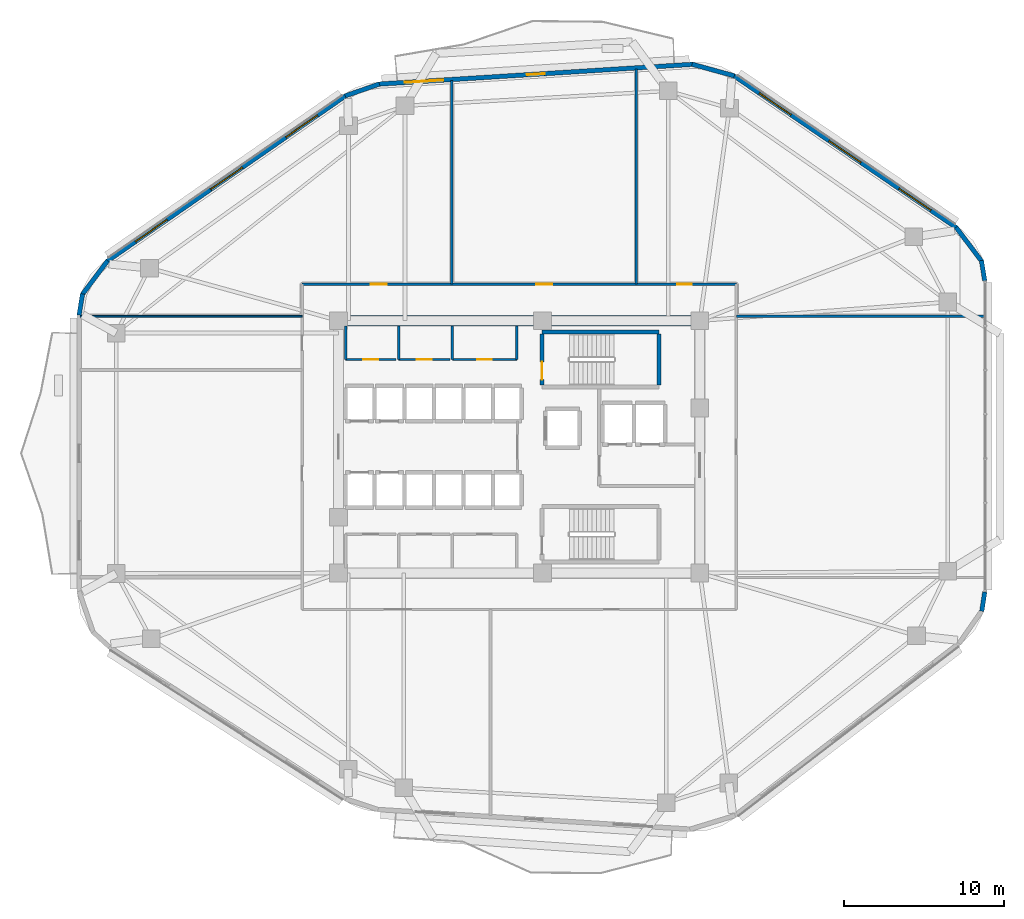
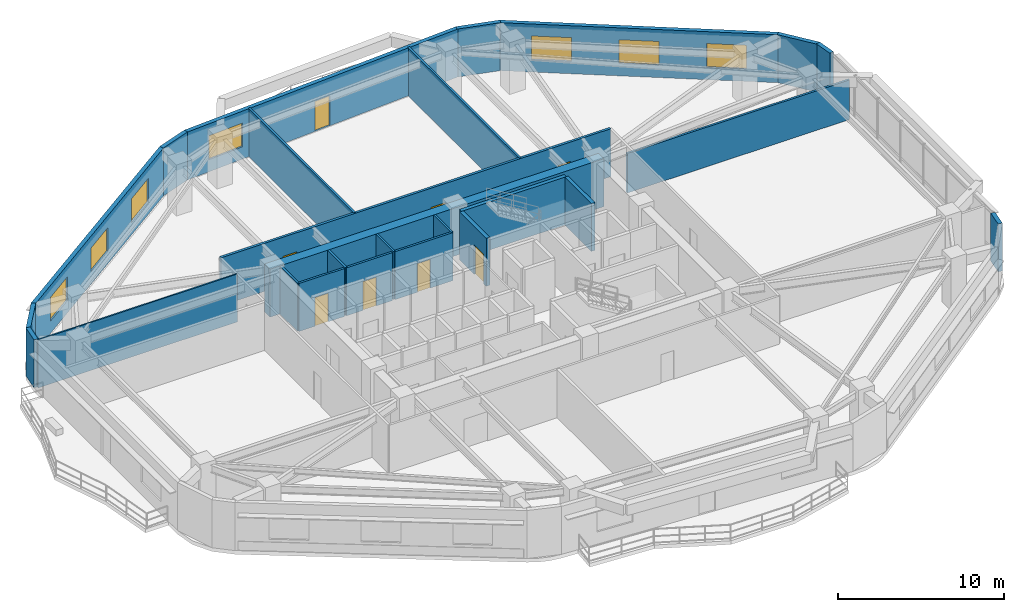
# One storey, part 10 of 14: 26 walls, 8 doors, 7 windows, 15 openings.
"""IFC4 building model written with IfcOpenShell, lengths in metres."""

from ifc_helpers import new_model, si_unit, direction, frame, frame_2d, origin, place, context, subcontext, project, spatial, rectangle, extrude, material, layer, layer_set, type_object, element, fill, save


model = new_model("IFC4")

# Units and contexts
model_context = context("Model", 3, precision=1e-05, world=origin(), true_north=direction((0.0, 1.0)))
body_context = subcontext(model_context, "Body", "Model", "MODEL_VIEW")
ifc_project = project(units=[si_unit("LENGTHUNIT", "METRE"), si_unit("AREAUNIT", "SQUARE_METRE"), si_unit("VOLUMEUNIT", "CUBIC_METRE"), si_unit("PLANEANGLEUNIT", "RADIAN"), si_unit("MASSUNIT", "GRAM", prefix="KILO")], contexts=[model_context])

# Site, building, storey
site_placement = place(None, origin())
site = spatial("IfcSite", under=ifc_project, at=site_placement, CompositionType="ELEMENT")
building_placement = place(site_placement, origin())
building = spatial("IfcBuilding", under=site, at=building_placement, Name="Zulverin Broadcast Headquarters", CompositionType="ELEMENT")
storey_placement = place(building_placement, frame((0.0, 0.0, 85.800048828125)))
storey = spatial("IfcBuildingStorey", under=building, at=storey_placement, Name="L21", CompositionType="ELEMENT", Elevation=85.800048828125)

# Wall
ifc_material_1 = material(Name="Concrete C60/75", Category="concrete")
ifc_layer_1 = layer(ifc_material_1, 0.64990234375, Name="Concrete C60/75", Category="concrete")
ifc_layer_set_1 = layer_set([ifc_layer_1], Name="Concrete C60/75")
wall_type_1 = type_object("IfcWallType", Name="WL-CORE-650", PredefinedType="SHEAR", material=ifc_layer_set_1)
wall_1_placement = place(storey_placement, frame((25.39990234375, 33.074951171875, 0.0), z_axis=(0.0, 0.0, 1.0), x_axis=(1.0, 0.0, 0.0)))
element("IfcWall", 1, at=wall_1_placement, inside=storey, type_object=wall_type_1, Name="L21 Core North Shear Wall", PredefinedType="SHEAR", context=body_context, shape_type="SweptSolid", body=[
    extrude(rectangle(XDim=23.2001953125, YDim=0.64990234375, at=frame_2d((11.60009765625, 0.0))), origin(), (0.0, 0.0, 1.0), 3.52490234375),
])

# Wall, openings, windows
ifc_material_2 = material(Name="Insulated pale-metal clad concrete spandrel C40/50", Category="concrete")
ifc_layer_2 = layer(ifc_material_2, 0.280029296875, Name="Insulated pale-metal clad concrete spandrel C40/50", Category="concrete")
ifc_layer_set_2 = layer_set([ifc_layer_2], Name="Insulated pale-metal clad concrete spandrel C40/50")
wall_type_2 = type_object("IfcWallType", Name="WL-EXT-280", PredefinedType="STANDARD", material=ifc_layer_set_2)
wall_2_placement = place(storey_placement, frame((64.289794921875, 38.8671875, 0.0), z_axis=(0.0, 0.0, 1.0), x_axis=(-0.825755550159, 0.564028165416, 0.0)))
wall_2 = element("IfcWall", 2, at=wall_2_placement, inside=storey, type_object=wall_type_2, Name="L21 Pale-Metal Clad Spandrel Wall 4", PredefinedType="STANDARD", context=body_context, shape_type="SweptSolid", body=[
    extrude(rectangle(XDim=16.848388671875, YDim=0.280029296875, at=frame_2d((8.42431640625, 0.0))), origin(), (0.0, 0.0, 1.0), 3.52490234375),
])
opening_1_placement = place(wall_2_placement, frame((1.94140625, 0.0, 0.89990234375)))
opening_1 = element("IfcOpeningElement", 3, at=opening_1_placement, cuts=wall_2, Name="Opening W-L21-E41", PredefinedType="OPENING", context=body_context, shape_type="SweptSolid", body=[
    extrude(rectangle(XDim=2.39990234375, YDim=1.75, at=frame_2d((1.199951171875, 0.875))), frame((0.0, 0.14990234375, 0.0), z_axis=(0.0, -1.0, 0.0), x_axis=(1.0, 0.0, 0.0)), (0.0, 0.0, 1.0), 0.300048828125),
])
opening_2_placement = place(wall_2_placement, frame((7.22412109375, 0.0, 0.89990234375)))
opening_2 = element("IfcOpeningElement", 4, at=opening_2_placement, cuts=wall_2, Name="Opening W-L21-E42", PredefinedType="OPENING", context=body_context, shape_type="SweptSolid", body=[
    extrude(rectangle(XDim=2.39990234375, YDim=1.75, at=frame_2d((1.199951171875, 0.875))), frame((0.0, 0.14990234375, 0.0), z_axis=(0.0, -1.0, 0.0), x_axis=(1.0, 0.0, 0.0)), (0.0, 0.0, 1.0), 0.300048828125),
])
opening_3_placement = place(wall_2_placement, frame((12.5068359375, 0.0, 0.89990234375)))
opening_3 = element("IfcOpeningElement", 5, at=opening_3_placement, cuts=wall_2, Name="Opening W-L21-E43", PredefinedType="OPENING", context=body_context, shape_type="SweptSolid", body=[
    extrude(rectangle(XDim=2.39990234375, YDim=1.75, at=frame_2d((1.199951171875, 0.875))), frame((0.0, 0.14990234375, 0.0), z_axis=(0.0, -1.0, 0.0), x_axis=(1.0, 0.0, 0.0)), (0.0, 0.0, 1.0), 0.300048828125),
])
ifc_material_3 = material(Name="Pale anodized aluminium frame with solar-control low-E double glazing", Category="aluminium")
window_type = type_object("IfcWindowType", Name="WIN-RIB-2400", PartitioningType="SINGLE_PANEL", PredefinedType="WINDOW", material=ifc_material_3)
window_1_placement = place(opening_1_placement, origin())
window_1 = element("IfcWindow", 6, at=window_1_placement, inside=storey, type_object=window_type, Name="L21 Ribbon Glazing Window 4 1", OverallHeight=1.75, OverallWidth=2.39990234375, PartitioningType="SINGLE_PANEL", PredefinedType="WINDOW", context=body_context, shape_type="SweptSolid", body=[
    extrude(rectangle(XDim=2.39990234375, YDim=1.75, at=frame_2d((1.199951171875, 0.875))), frame((0.0, 0.030029296875, 0.0), z_axis=(0.0, -1.0, 0.0), x_axis=(1.0, 0.0, 0.0)), (0.0, 0.0, 1.0), 0.06005859375),
])
fill(opening_1, window_1)
window_2_placement = place(opening_2_placement, origin())
window_2 = element("IfcWindow", 7, at=window_2_placement, inside=storey, type_object=window_type, Name="L21 Ribbon Glazing Window 4 2", OverallHeight=1.75, OverallWidth=2.39990234375, PartitioningType="SINGLE_PANEL", PredefinedType="WINDOW", context=body_context, shape_type="SweptSolid", body=[
    extrude(rectangle(XDim=2.39990234375, YDim=1.75, at=frame_2d((1.199951171875, 0.875))), frame((0.0, 0.030029296875, 0.0), z_axis=(0.0, -1.0, 0.0), x_axis=(1.0, 0.0, 0.0)), (0.0, 0.0, 1.0), 0.06005859375),
])
fill(opening_2, window_2)
window_3_placement = place(opening_3_placement, origin())
window_3 = element("IfcWindow", 8, at=window_3_placement, inside=storey, type_object=window_type, Name="L21 Ribbon Glazing Window 4 3", OverallHeight=1.75, OverallWidth=2.39990234375, PartitioningType="SINGLE_PANEL", PredefinedType="WINDOW", context=body_context, shape_type="SweptSolid", body=[
    extrude(rectangle(XDim=2.39990234375, YDim=1.75, at=frame_2d((1.199951171875, 0.875))), frame((0.0, 0.030029296875, 0.0), z_axis=(0.0, -1.0, 0.0), x_axis=(1.0, 0.0, 0.0)), (0.0, 0.0, 1.0), 0.06005859375),
])
fill(opening_3, window_3)

# Wall, openings, door, window
wall_3_placement = place(storey_placement, frame((47.831787109375, 49.0693359375, 0.0), z_axis=(0.0, 0.0, 1.0), x_axis=(-0.998017725054, -0.062933460723, 0.0)))
wall_3 = element("IfcWall", 9, at=wall_3_placement, inside=storey, type_object=wall_type_2, Name="L21 Pale-Metal Clad Spandrel Wall 5", PredefinedType="STANDARD", context=body_context, shape_type="SweptSolid", body=[
    extrude(rectangle(XDim=19.62939453125, YDim=0.280029296875, at=frame_2d((9.814697265625, 0.0))), origin(), (0.0, 0.0, 1.0), 3.52490234375),
])
opening_4_placement = place(wall_3_placement, frame((9.264892578125, 0.0, 0.0)))
opening_4 = element("IfcOpeningElement", 10, at=opening_4_placement, cuts=wall_3, Name="Opening D-L21-TR5", PredefinedType="OPENING", context=body_context, shape_type="SweptSolid", body=[
    extrude(rectangle(XDim=1.10009765625, YDim=2.199951171875, at=frame_2d((0.550048828125, 1.10009765625))), frame((0.0, 0.14990234375, 0.0), z_axis=(0.0, -1.0, 0.0), x_axis=(1.0, 0.0, 0.0)), (0.0, 0.0, 1.0), 0.300048828125),
])
opening_5_placement = place(wall_3_placement, frame((15.6044921875, 0.0, 0.89990234375)))
opening_5 = element("IfcOpeningElement", 11, at=opening_5_placement, cuts=wall_3, Name="Opening W-L21-E51", PredefinedType="OPENING", context=body_context, shape_type="SweptSolid", body=[
    extrude(rectangle(XDim=2.39990234375, YDim=1.75, at=frame_2d((1.199951171875, 0.875))), frame((0.0, 0.14990234375, 0.0), z_axis=(0.0, -1.0, 0.0), x_axis=(1.0, 0.0, 0.0)), (0.0, 0.0, 1.0), 0.300048828125),
])
ifc_material_4 = material(Name="Thermally broken aluminium glazed", Category="aluminium")
door_type_1 = type_object("IfcDoorType", Name="DR-TERR-1100", OperationType="SINGLE_SWING_RIGHT", PredefinedType="DOOR", material=ifc_material_4)
door_1_placement = place(opening_4_placement, origin())
door_1 = element("IfcDoor", 12, at=door_1_placement, inside=storey, type_object=door_type_1, Name="L21 Planted Terrace Glazed Access Door 5", OperationType="SINGLE_SWING_RIGHT", OverallHeight=2.199951171875, OverallWidth=1.10009765625, PredefinedType="DOOR", context=body_context, shape_type="SweptSolid", body=[
    extrude(rectangle(XDim=1.10009765625, YDim=2.199951171875, at=frame_2d((0.550048828125, 1.10009765625))), frame((0.0, 0.02490234375, 0.0), z_axis=(0.0, -1.0, 0.0), x_axis=(1.0, 0.0, 0.0)), (0.0, 0.0, 1.0), 0.050048828125),
])
fill(opening_4, door_1)
window_4_placement = place(opening_5_placement, origin())
window_4 = element("IfcWindow", 13, at=window_4_placement, inside=storey, type_object=window_type, Name="L21 Ribbon Glazing Window 5 1", OverallHeight=1.75, OverallWidth=2.39990234375, PartitioningType="SINGLE_PANEL", PredefinedType="WINDOW", context=body_context, shape_type="SweptSolid", body=[
    extrude(rectangle(XDim=2.39990234375, YDim=1.75, at=frame_2d((1.199951171875, 0.875))), frame((0.0, 0.030029296875, 0.0), z_axis=(0.0, -1.0, 0.0), x_axis=(1.0, 0.0, 0.0)), (0.0, 0.0, 1.0), 0.06005859375),
])
fill(opening_5, window_4)

# Wall, openings, windows
wall_4_placement = place(storey_placement, frame((26.181884765625, 47.11767578125, 0.0), z_axis=(0.0, 0.0, 1.0), x_axis=(-0.821547956627, -0.570139417127, 0.0)))
wall_4 = element("IfcWall", 14, at=wall_4_placement, inside=storey, type_object=wall_type_2, Name="L21 Pale-Metal Clad Spandrel Wall 6", PredefinedType="STANDARD", context=body_context, shape_type="SweptSolid", body=[
    extrude(rectangle(XDim=18.13232421875, YDim=0.280029296875, at=frame_2d((9.066162109375, 0.0))), origin(), (0.0, 0.0, 1.0), 3.52490234375),
])
opening_6_placement = place(wall_4_placement, frame((2.155517578125, 0.0, 0.89990234375)))
opening_6 = element("IfcOpeningElement", 15, at=opening_6_placement, cuts=wall_4, Name="Opening W-L21-E61", PredefinedType="OPENING", context=body_context, shape_type="SweptSolid", body=[
    extrude(rectangle(XDim=2.39990234375, YDim=1.75, at=frame_2d((1.199951171875, 0.875))), frame((0.0, 0.14990234375, 0.0), z_axis=(0.0, -1.0, 0.0), x_axis=(1.0, 0.0, 0.0)), (0.0, 0.0, 1.0), 0.300048828125),
])
opening_7_placement = place(wall_4_placement, frame((7.8662109375, 0.0, 0.89990234375)))
opening_7 = element("IfcOpeningElement", 16, at=opening_7_placement, cuts=wall_4, Name="Opening W-L21-E62", PredefinedType="OPENING", context=body_context, shape_type="SweptSolid", body=[
    extrude(rectangle(XDim=2.39990234375, YDim=1.75, at=frame_2d((1.199951171875, 0.875))), frame((0.0, 0.14990234375, 0.0), z_axis=(0.0, -1.0, 0.0), x_axis=(1.0, 0.0, 0.0)), (0.0, 0.0, 1.0), 0.300048828125),
])
opening_8_placement = place(wall_4_placement, frame((13.576904296875, 0.0, 0.89990234375)))
opening_8 = element("IfcOpeningElement", 17, at=opening_8_placement, cuts=wall_4, Name="Opening W-L21-E63", PredefinedType="OPENING", context=body_context, shape_type="SweptSolid", body=[
    extrude(rectangle(XDim=2.39990234375, YDim=1.75, at=frame_2d((1.199951171875, 0.875))), frame((0.0, 0.14990234375, 0.0), z_axis=(0.0, -1.0, 0.0), x_axis=(1.0, 0.0, 0.0)), (0.0, 0.0, 1.0), 0.300048828125),
])
window_5_placement = place(opening_6_placement, origin())
window_5 = element("IfcWindow", 18, at=window_5_placement, inside=storey, type_object=window_type, Name="L21 Ribbon Glazing Window 6 1", OverallHeight=1.75, OverallWidth=2.39990234375, PartitioningType="SINGLE_PANEL", PredefinedType="WINDOW", context=body_context, shape_type="SweptSolid", body=[
    extrude(rectangle(XDim=2.39990234375, YDim=1.75, at=frame_2d((1.199951171875, 0.875))), frame((0.0, 0.030029296875, 0.0), z_axis=(0.0, -1.0, 0.0), x_axis=(1.0, 0.0, 0.0)), (0.0, 0.0, 1.0), 0.06005859375),
])
fill(opening_6, window_5)
window_6_placement = place(opening_7_placement, origin())
window_6 = element("IfcWindow", 19, at=window_6_placement, inside=storey, type_object=window_type, Name="L21 Ribbon Glazing Window 6 2", OverallHeight=1.75, OverallWidth=2.39990234375, PartitioningType="SINGLE_PANEL", PredefinedType="WINDOW", context=body_context, shape_type="SweptSolid", body=[
    extrude(rectangle(XDim=2.39990234375, YDim=1.75, at=frame_2d((1.199951171875, 0.875))), frame((0.0, 0.030029296875, 0.0), z_axis=(0.0, -1.0, 0.0), x_axis=(1.0, 0.0, 0.0)), (0.0, 0.0, 1.0), 0.06005859375),
])
fill(opening_7, window_6)
window_7_placement = place(opening_8_placement, origin())
window_7 = element("IfcWindow", 20, at=window_7_placement, inside=storey, type_object=window_type, Name="L21 Ribbon Glazing Window 6 3", OverallHeight=1.75, OverallWidth=2.39990234375, PartitioningType="SINGLE_PANEL", PredefinedType="WINDOW", context=body_context, shape_type="SweptSolid", body=[
    extrude(rectangle(XDim=2.39990234375, YDim=1.75, at=frame_2d((1.199951171875, 0.875))), frame((0.0, 0.030029296875, 0.0), z_axis=(0.0, -1.0, 0.0), x_axis=(1.0, 0.0, 0.0)), (0.0, 0.0, 1.0), 0.06005859375),
])
fill(opening_8, window_7)

# Walls
wall_5_placement = place(storey_placement, frame((65.867431640625, 14.942626953125, 0.0), z_axis=(0.0, 0.0, 1.0), x_axis=(0.152102600021, 0.988364709541, 0.0)))
element("IfcWall", 21, at=wall_5_placement, inside=storey, type_object=wall_type_2, Name="L21 Wind-Shaped Corner Spandrel Wall 2-2", PredefinedType="STANDARD", context=body_context, shape_type="SweptSolid", body=[
    extrude(rectangle(XDim=1.2119140625, YDim=0.280029296875, at=frame_2d((0.60595703125, 0.0))), origin(), (0.0, 0.0, 1.0), 3.52490234375),
])
wall_6_placement = place(storey_placement, frame((66.051513671875, 35.55615234375, 0.0), z_axis=(0.0, 0.0, 1.0), x_axis=(-0.161357776207, 0.98689597631, 0.0)))
element("IfcWall", 22, at=wall_6_placement, inside=storey, type_object=wall_type_2, Name="L21 Wind-Shaped Corner Spandrel Wall 3-1", PredefinedType="STANDARD", context=body_context, shape_type="SweptSolid", body=[
    extrude(rectangle(XDim=1.2890625, YDim=0.280029296875, at=frame_2d((0.64453125, 0.0))), origin(), (0.0, 0.0, 1.0), 3.52490234375),
])
wall_7_placement = place(storey_placement, frame((65.8701171875, 36.7666015625, 0.0), z_axis=(0.0, 0.0, 1.0), x_axis=(-0.603370463754, 0.797461023166, 0.0)))
element("IfcWall", 23, at=wall_7_placement, inside=storey, type_object=wall_type_2, Name="L21 Wind-Shaped Corner Spandrel Wall 3-2", PredefinedType="STANDARD", context=body_context, shape_type="SweptSolid", body=[
    extrude(rectangle(XDim=2.6728515625, YDim=0.280029296875, at=frame_2d((1.33642578125, 0.0))), origin(), (0.0, 0.0, 1.0), 3.52490234375),
])
wall_8_placement = place(storey_placement, frame((50.419189453125, 48.3505859375, 0.0), z_axis=(0.0, 0.0, 1.0), x_axis=(-0.964254516967, 0.264977784933, 0.0)))
element("IfcWall", 24, at=wall_8_placement, inside=storey, type_object=wall_type_2, Name="L21 Wind-Shaped Corner Spandrel Wall 4-1", PredefinedType="STANDARD", context=body_context, shape_type="SweptSolid", body=[
    extrude(rectangle(XDim=2.73095703125, YDim=0.280029296875, at=frame_2d((1.365478515625, 0.0))), origin(), (0.0, 0.0, 1.0), 3.52490234375),
])
wall_9_placement = place(storey_placement, frame((28.2783203125, 47.841552734375, 0.0), z_axis=(0.0, 0.0, 1.0), x_axis=(-0.9444559001, -0.328638179106, 0.0)))
element("IfcWall", 25, at=wall_9_placement, inside=storey, type_object=wall_type_2, Name="L21 Wind-Shaped Corner Spandrel Wall 5-1", PredefinedType="STANDARD", context=body_context, shape_type="SweptSolid", body=[
    extrude(rectangle(XDim=2.25537109375, YDim=0.280029296875, at=frame_2d((1.127685546875, 0.0))), origin(), (0.0, 0.0, 1.0), 3.52490234375),
])
wall_10_placement = place(storey_placement, frame((11.317626953125, 36.81103515625, 0.0), z_axis=(0.0, 0.0, 1.0), x_axis=(-0.599455152629, -0.800408345775, 0.0)))
element("IfcWall", 26, at=wall_10_placement, inside=storey, type_object=wall_type_2, Name="L21 Wind-Shaped Corner Spandrel Wall 6-1", PredefinedType="STANDARD", context=body_context, shape_type="SweptSolid", body=[
    extrude(rectangle(XDim=2.6533203125, YDim=0.280029296875, at=frame_2d((1.32666015625, 0.0))), origin(), (0.0, 0.0, 1.0), 3.52490234375),
])
wall_11_placement = place(storey_placement, frame((9.753173828125, 34.748779296875, 0.0), z_axis=(0.0, 0.0, 1.0), x_axis=(-0.160037671962, -0.987110907423, 0.0)))
element("IfcWall", 27, at=wall_11_placement, inside=storey, type_object=wall_type_2, Name="L21 Wind-Shaped Corner Spandrel Wall 6-2", PredefinedType="STANDARD", context=body_context, shape_type="SweptSolid", body=[
    extrude(rectangle(XDim=1.343994140625, YDim=0.280029296875, at=frame_2d((0.671875, 0.0))), origin(), (0.0, 0.0, 1.0), 3.52490234375),
])
ifc_material_5 = material(Name="Fire-rated acoustic laminated glass screen", Category="glass")
ifc_layer_3 = layer(ifc_material_5, 0.10009765625, Name="Fire-rated acoustic laminated glass screen", Category="glass")
ifc_layer_set_3 = layer_set([ifc_layer_3], Name="Fire-rated acoustic laminated glass screen")
wall_type_3 = type_object("IfcWallType", Name="WL-GLAZ-100", PredefinedType="PARTITIONING", material=ifc_layer_set_3)
wall_12_placement = place(storey_placement, frame((9.60498046875, 33.35009765625, 0.0), z_axis=(0.0, 0.0, 1.0), x_axis=(1.0, 0.0, 0.0)))
element("IfcWall", 28, at=wall_12_placement, inside=storey, type_object=wall_type_3, Name="L21 Room Partition Wall RP-10", PredefinedType="PARTITIONING", context=body_context, shape_type="SweptSolid", body=[
    extrude(rectangle(XDim=13.844970703125, YDim=0.10009765625, at=frame_2d((6.92236328125, 0.0))), origin(), (0.0, 0.0, 1.0), 3.52490234375),
])

# Wall, opening, door
ifc_material_6 = material(Name="Fire-rated gypsum stud partition", Category="gypsum")
ifc_layer_4 = layer(ifc_material_6, 0.14990234375, Name="Fire-rated gypsum stud partition", Category="gypsum")
ifc_layer_set_4 = layer_set([ifc_layer_4], Name="Fire-rated gypsum stud partition")
wall_type_4 = type_object("IfcWallType", Name="WL-PART-150", PredefinedType="PARTITIONING", material=ifc_layer_set_4)
wall_13_placement = place(storey_placement, frame((26.169921875, 30.64990234375, 0.0), z_axis=(0.0, 0.0, 1.0), x_axis=(1.0, 0.0, 0.0)))
wall_13 = element("IfcWall", 29, at=wall_13_placement, inside=storey, type_object=wall_type_4, Name="L21 Core Male WC Front Wall", PredefinedType="PARTITIONING", context=body_context, shape_type="SweptSolid", body=[
    extrude(rectangle(XDim=3.150146484375, YDim=0.14990234375, at=frame_2d((1.5751953125, 0.0))), origin(), (0.0, 0.0, 1.0), 3.52490234375),
])
opening_9_placement = place(wall_13_placement, frame((1.10009765625, 0.0, 0.0)))
opening_9 = element("IfcOpeningElement", 30, at=opening_9_placement, cuts=wall_13, Name="Opening D-L21-NC1", PredefinedType="OPENING", context=body_context, shape_type="SweptSolid", body=[
    extrude(rectangle(XDim=0.949951171875, YDim=2.10009765625, at=frame_2d((0.47509765625, 1.050048828125))), frame((0.0, 0.0849609375, 0.0), z_axis=(0.0, -1.0, 0.0), x_axis=(1.0, 0.0, 0.0)), (0.0, 0.0, 1.0), 0.169921875),
])
ifc_material_7 = material(Name="Fire-rated moisture-resistant laminate leaf", Category="wood")
door_type_2 = type_object("IfcDoorType", Name="DR-WC-950", OperationType="SINGLE_SWING_LEFT", PredefinedType="DOOR", material=ifc_material_7)
door_2_placement = place(opening_9_placement, origin())
door_2 = element("IfcDoor", 31, at=door_2_placement, inside=storey, type_object=door_type_2, Name="L21 Male WC Door", OperationType="SINGLE_SWING_LEFT", OverallHeight=2.10009765625, OverallWidth=0.949951171875, PredefinedType="DOOR", context=body_context, shape_type="SweptSolid", body=[
    extrude(rectangle(XDim=0.949951171875, YDim=2.10009765625, at=frame_2d((0.47509765625, 1.050048828125))), frame((0.0, 0.02490234375, 0.0), z_axis=(0.0, -1.0, 0.0), x_axis=(1.0, 0.0, 0.0)), (0.0, 0.0, 1.0), 0.050048828125),
])
fill(opening_9, door_2)

# Wall
wall_14_placement = place(storey_placement, frame((26.169921875, 30.64990234375, 0.0), z_axis=(0.0, 0.0, 1.0), x_axis=(0.0, 1.0, 0.0)))
element("IfcWall", 32, at=wall_14_placement, inside=storey, type_object=wall_type_4, Name="L21 Core Male WC West Wall", PredefinedType="PARTITIONING", context=body_context, shape_type="SweptSolid", body=[
    extrude(rectangle(XDim=2.10009765625, YDim=0.14990234375, at=frame_2d((1.050048828125, 0.0))), origin(), (0.0, 0.0, 1.0), 3.52490234375),
])

# Wall, opening, door
wall_15_placement = place(storey_placement, frame((29.47998046875, 30.64990234375, 0.0), z_axis=(0.0, 0.0, 1.0), x_axis=(1.0, 0.0, 0.0)))
wall_15 = element("IfcWall", 33, at=wall_15_placement, inside=storey, type_object=wall_type_4, Name="L21 Core Accessible WC Front Wall", PredefinedType="PARTITIONING", context=body_context, shape_type="SweptSolid", body=[
    extrude(rectangle(XDim=3.18994140625, YDim=0.14990234375, at=frame_2d((1.594970703125, 0.0))), origin(), (0.0, 0.0, 1.0), 3.52490234375),
])
opening_10_placement = place(wall_15_placement, frame((1.1201171875, 0.0, 0.0)))
opening_10 = element("IfcOpeningElement", 34, at=opening_10_placement, cuts=wall_15, Name="Opening D-L21-NC2", PredefinedType="OPENING", context=body_context, shape_type="SweptSolid", body=[
    extrude(rectangle(XDim=0.949951171875, YDim=2.10009765625, at=frame_2d((0.47509765625, 1.050048828125))), frame((0.0, 0.0849609375, 0.0), z_axis=(0.0, -1.0, 0.0), x_axis=(1.0, 0.0, 0.0)), (0.0, 0.0, 1.0), 0.169921875),
])
door_3_placement = place(opening_10_placement, origin())
door_3 = element("IfcDoor", 35, at=door_3_placement, inside=storey, type_object=door_type_2, Name="L21 Accessible WC Door", OperationType="SINGLE_SWING_RIGHT", OverallHeight=2.10009765625, OverallWidth=0.949951171875, PredefinedType="DOOR", context=body_context, shape_type="SweptSolid", body=[
    extrude(rectangle(XDim=0.949951171875, YDim=2.10009765625, at=frame_2d((0.47509765625, 1.050048828125))), frame((0.0, 0.02490234375, 0.0), z_axis=(0.0, -1.0, 0.0), x_axis=(1.0, 0.0, 0.0)), (0.0, 0.0, 1.0), 0.050048828125),
])
fill(opening_10, door_3)

# Wall
wall_16_placement = place(storey_placement, frame((29.47998046875, 30.64990234375, 0.0), z_axis=(0.0, 0.0, 1.0), x_axis=(0.0, 1.0, 0.0)))
element("IfcWall", 36, at=wall_16_placement, inside=storey, type_object=wall_type_4, Name="L21 Core Accessible WC West Wall", PredefinedType="PARTITIONING", context=body_context, shape_type="SweptSolid", body=[
    extrude(rectangle(XDim=2.10009765625, YDim=0.14990234375, at=frame_2d((1.050048828125, 0.0))), origin(), (0.0, 0.0, 1.0), 3.52490234375),
])

# Wall, opening, door
wall_17_placement = place(storey_placement, frame((32.830078125, 30.64990234375, 0.0), z_axis=(0.0, 0.0, 1.0), x_axis=(1.0, 0.0, 0.0)))
wall_17 = element("IfcWall", 37, at=wall_17_placement, inside=storey, type_object=wall_type_4, Name="L21 Core Electrical Distribution Riser Front Wall", PredefinedType="PARTITIONING", context=body_context, shape_type="SweptSolid", body=[
    extrude(rectangle(XDim=4.02001953125, YDim=0.14990234375, at=frame_2d((2.010009765625, 0.0))), origin(), (0.0, 0.0, 1.0), 3.52490234375),
])
opening_11_placement = place(wall_17_placement, frame((1.56005859375, 0.0, 0.0)))
opening_11 = element("IfcOpeningElement", 38, at=opening_11_placement, cuts=wall_17, Name="Opening D-L21-NC3", PredefinedType="OPENING", context=body_context, shape_type="SweptSolid", body=[
    extrude(rectangle(XDim=0.89990234375, YDim=2.10009765625, at=frame_2d((0.449951171875, 1.050048828125))), frame((0.0, 0.0849609375, 0.0), z_axis=(0.0, -1.0, 0.0), x_axis=(1.0, 0.0, 0.0)), (0.0, 0.0, 1.0), 0.169921875),
])
ifc_material_8 = material(Name="Powder-coated steel access leaf", Category="steel")
door_type_3 = type_object("IfcDoorType", Name="DR-RISER-900", OperationType="SINGLE_SWING_LEFT", PredefinedType="DOOR", material=ifc_material_8)
door_4_placement = place(opening_11_placement, origin())
door_4 = element("IfcDoor", 39, at=door_4_placement, inside=storey, type_object=door_type_3, Name="L21 Electrical Distribution Riser Door", OperationType="SINGLE_SWING_LEFT", OverallHeight=2.10009765625, OverallWidth=0.89990234375, PredefinedType="DOOR", context=body_context, shape_type="SweptSolid", body=[
    extrude(rectangle(XDim=0.89990234375, YDim=2.10009765625, at=frame_2d((0.449951171875, 1.050048828125))), frame((0.0, 0.02490234375, 0.0), z_axis=(0.0, -1.0, 0.0), x_axis=(1.0, 0.0, 0.0)), (0.0, 0.0, 1.0), 0.050048828125),
])
fill(opening_11, door_4)

# Walls
for number, where, z_axis, x_axis, name in (
    (40, (32.830078125, 30.64990234375, 0.0), (0.0, 0.0, 1.0), (0.0, 1.0, 0.0), "L21 Core Electrical Distribution Riser West Wall"),
    (41, (36.85009765625, 30.64990234375, 0.0), (0.0, 0.0, 1.0), (0.0, 1.0, 0.0), "L21 Core Electrical Distribution Riser East Wall"),
):
    element("IfcWall", number, at=place(storey_placement, frame(where, z_axis=z_axis, x_axis=x_axis)), inside=storey, type_object=wall_type_4, Name=name, PredefinedType="PARTITIONING", context=body_context, shape_type="SweptSolid", body=[
        extrude(rectangle(XDim=2.10009765625, YDim=0.14990234375, at=frame_2d((1.050048828125, 0.0))), origin(), (0.0, 0.0, 1.0), 3.52490234375),
    ])
wall_18_placement = place(storey_placement, frame((44.300048828125, 35.35009765625, 0.0), z_axis=(0.0, 0.0, 1.0), x_axis=(0.0, 1.0, 0.0)))
element("IfcWall", 42, at=wall_18_placement, inside=storey, type_object=wall_type_4, Name="L21 Room Partition Wall RP-02", PredefinedType="PARTITIONING", context=body_context, shape_type="SweptSolid", body=[
    extrude(rectangle(XDim=13.431884765625, YDim=0.14990234375, at=frame_2d((6.7158203125, 0.0))), origin(), (0.0, 0.0, 1.0), 3.52490234375),
])
wall_19_placement = place(storey_placement, frame((32.800048828125, 35.35009765625, 0.0), z_axis=(0.0, 0.0, 1.0), x_axis=(0.0, 1.0, 0.0)))
element("IfcWall", 43, at=wall_19_placement, inside=storey, type_object=wall_type_4, Name="L21 Room Partition Wall RP-04", PredefinedType="PARTITIONING", context=body_context, shape_type="SweptSolid", body=[
    extrude(rectangle(XDim=12.70654296875, YDim=0.14990234375, at=frame_2d((6.353271484375, 0.0))), origin(), (0.0, 0.0, 1.0), 3.52490234375),
])
wall_20_placement = place(storey_placement, frame((50.550048828125, 33.35009765625, 0.0), z_axis=(0.0, 0.0, 1.0), x_axis=(1.0, 0.0, 0.0)))
element("IfcWall", 44, at=wall_20_placement, inside=storey, type_object=wall_type_4, Name="L21 Room Partition Wall RP-11", PredefinedType="PARTITIONING", context=body_context, shape_type="SweptSolid", body=[
    extrude(rectangle(XDim=15.445068359375, YDim=0.14990234375, at=frame_2d((7.72265625, 0.0))), origin(), (0.0, 0.0, 1.0), 2.90771484375),
])

# Wall, openings, doors
ifc_material_9 = material(Name="Fire-rated acoustic stud wall", Category="gypsum")
ifc_layer_5 = layer(ifc_material_9, 0.175048828125, Name="Fire-rated acoustic stud wall", Category="gypsum")
ifc_layer_set_5 = layer_set([ifc_layer_5], Name="Fire-rated acoustic stud wall")
wall_type_5 = type_object("IfcWallType", Name="WL-PART-175", PredefinedType="PARTITIONING", material=ifc_layer_set_5)
wall_21_placement = place(storey_placement, frame((23.449951171875, 35.35009765625, 0.0), z_axis=(0.0, 0.0, 1.0), x_axis=(1.0, 0.0, 0.0)))
wall_21 = element("IfcWall", 45, at=wall_21_placement, inside=storey, type_object=wall_type_5, Name="L21 Gallery Partition Wall CG-12", PredefinedType="PARTITIONING", context=body_context, shape_type="SweptSolid", body=[
    extrude(rectangle(XDim=27.10009765625, YDim=0.175048828125, at=frame_2d((13.550048828125, 0.0))), origin(), (0.0, 0.0, 1.0), 3.52490234375),
])
opening_12_placement = place(wall_21_placement, frame((4.294921875, 0.0, 0.0)))
opening_12 = element("IfcOpeningElement", 46, at=opening_12_placement, cuts=wall_21, Name="Opening D-L21-01", PredefinedType="OPENING", context=body_context, shape_type="SweptSolid", body=[
    extrude(rectangle(XDim=1.0, YDim=2.1201171875, at=frame_2d((0.5, 1.06005859375))), frame((0.0, 0.097412109375, 0.0), z_axis=(0.0, -1.0, 0.0), x_axis=(1.0, 0.0, 0.0)), (0.0, 0.0, 1.0), 0.195068359375),
])
opening_13_placement = place(wall_21_placement, frame((14.60009765625, 0.0, 0.0)))
opening_13 = element("IfcOpeningElement", 47, at=opening_13_placement, cuts=wall_21, Name="Opening D-L21-02", PredefinedType="OPENING", context=body_context, shape_type="SweptSolid", body=[
    extrude(rectangle(XDim=1.0, YDim=2.1201171875, at=frame_2d((0.5, 1.06005859375))), frame((0.0, 0.097412109375, 0.0), z_axis=(0.0, -1.0, 0.0), x_axis=(1.0, 0.0, 0.0)), (0.0, 0.0, 1.0), 0.195068359375),
])
opening_14_placement = place(wall_21_placement, frame((23.405029296875, 0.0, 0.0)))
opening_14 = element("IfcOpeningElement", 48, at=opening_14_placement, cuts=wall_21, Name="Opening D-L21-03", PredefinedType="OPENING", context=body_context, shape_type="SweptSolid", body=[
    extrude(rectangle(XDim=0.89990234375, YDim=2.10009765625, at=frame_2d((0.449951171875, 1.050048828125))), frame((0.0, 0.097412109375, 0.0), z_axis=(0.0, -1.0, 0.0), x_axis=(1.0, 0.0, 0.0)), (0.0, 0.0, 1.0), 0.195068359375),
])
ifc_material_10 = material(Name="Hardwood veneer acoustic leaf", Category="wood")
door_type_4 = type_object("IfcDoorType", Name="DR-OFF-1000", OperationType="SINGLE_SWING_LEFT", PredefinedType="DOOR", material=ifc_material_10)
door_5_placement = place(opening_12_placement, origin())
door_5 = element("IfcDoor", 49, at=door_5_placement, inside=storey, type_object=door_type_4, Name="L21 Radio Broadcast Office Door", OperationType="SINGLE_SWING_RIGHT", OverallHeight=2.1201171875, OverallWidth=1.0, PredefinedType="DOOR", context=body_context, shape_type="SweptSolid", body=[
    extrude(rectangle(XDim=1.0, YDim=2.1201171875, at=frame_2d((0.5, 1.06005859375))), frame((0.0, 0.02490234375, 0.0), z_axis=(0.0, -1.0, 0.0), x_axis=(1.0, 0.0, 0.0)), (0.0, 0.0, 1.0), 0.050048828125),
])
fill(opening_12, door_5)
door_6_placement = place(opening_13_placement, origin())
door_6 = element("IfcDoor", 50, at=door_6_placement, inside=storey, type_object=door_type_4, Name="L21 Regional News Workplace Door", OperationType="SINGLE_SWING_LEFT", OverallHeight=2.1201171875, OverallWidth=1.0, PredefinedType="DOOR", context=body_context, shape_type="SweptSolid", body=[
    extrude(rectangle(XDim=1.0, YDim=2.1201171875, at=frame_2d((0.5, 1.06005859375))), frame((0.0, 0.02490234375, 0.0), z_axis=(0.0, -1.0, 0.0), x_axis=(1.0, 0.0, 0.0)), (0.0, 0.0, 1.0), 0.050048828125),
])
fill(opening_13, door_6)
ifc_material_11 = material(Name="Fire-rated hardwood veneer timber leaf", Category="wood")
door_type_5 = type_object("IfcDoorType", Name="DR-ROOM-900", OperationType="SINGLE_SWING_RIGHT", PredefinedType="DOOR", material=ifc_material_11)
door_7_placement = place(opening_14_placement, origin())
door_7 = element("IfcDoor", 51, at=door_7_placement, inside=storey, type_object=door_type_5, Name="L21 Briefing Room Door", OperationType="SINGLE_SWING_RIGHT", OverallHeight=2.10009765625, OverallWidth=0.89990234375, PredefinedType="DOOR", context=body_context, shape_type="SweptSolid", body=[
    extrude(rectangle(XDim=0.89990234375, YDim=2.10009765625, at=frame_2d((0.449951171875, 1.050048828125))), frame((0.0, 0.02490234375, 0.0), z_axis=(0.0, -1.0, 0.0), x_axis=(1.0, 0.0, 0.0)), (0.0, 0.0, 1.0), 0.050048828125),
])
fill(opening_14, door_7)

# Wall
ifc_material_12 = material(Name="Concrete C50/60", Category="concrete")
ifc_layer_6 = layer(ifc_material_12, 0.25, Name="Concrete C50/60", Category="concrete")
ifc_layer_set_6 = layer_set([ifc_layer_6], Name="Concrete C50/60")
wall_type_6 = type_object("IfcWallType", Name="WL-SHAFT-250", PredefinedType="SHEAR", material=ifc_layer_set_6)
wall_22_placement = place(storey_placement, frame((38.425048828125, 32.375, 0.0), z_axis=(0.0, 0.0, 1.0), x_axis=(1.0, 0.0, 0.0)))
element("IfcWall", 52, at=wall_22_placement, inside=storey, type_object=wall_type_6, Name="L21 ST-1 Enclosure Wall N", PredefinedType="SHEAR", context=body_context, shape_type="SweptSolid", body=[
    extrude(rectangle(XDim=7.300048828125, YDim=0.25, at=frame_2d((3.64990234375, 0.0))), origin(), (0.0, 0.0, 1.0), 3.52490234375),
])

# Wall, opening, door
wall_23_placement = place(storey_placement, frame((38.425048828125, 29.050048828125, 0.0), z_axis=(0.0, 0.0, 1.0), x_axis=(0.0, 1.0, 0.0)))
wall_23 = element("IfcWall", 53, at=wall_23_placement, inside=storey, type_object=wall_type_6, Name="L21 ST-1 Enclosure Wall W", PredefinedType="SHEAR", context=body_context, shape_type="SweptSolid", body=[
    extrude(rectangle(XDim=3.199951171875, YDim=0.25, at=frame_2d((1.60009765625, 0.0))), origin(), (0.0, 0.0, 1.0), 3.52490234375),
])
opening_15_placement = place(wall_23_placement, frame((0.35009765625, 0.0, 0.0)))
opening_15 = element("IfcOpeningElement", 54, at=opening_15_placement, cuts=wall_23, Name="Opening D-L21-ST-1", PredefinedType="OPENING", context=body_context, shape_type="SweptSolid", body=[
    extrude(rectangle(XDim=1.10009765625, YDim=2.14990234375, at=frame_2d((0.550048828125, 1.074951171875))), frame((0.0, 0.135009765625, 0.0), z_axis=(0.0, -1.0, 0.0), x_axis=(1.0, 0.0, 0.0)), (0.0, 0.0, 1.0), 0.27001953125),
])
ifc_material_13 = material(Name="Fire-rated steel leaf and frame", Category="steel")
door_type_6 = type_object("IfcDoorType", Name="DR-STAIR-1100", OperationType="SINGLE_SWING_LEFT", PredefinedType="DOOR", material=ifc_material_13)
door_8_placement = place(opening_15_placement, origin())
door_8 = element("IfcDoor", 55, at=door_8_placement, inside=storey, type_object=door_type_6, Name="L21 Exit Stair ST-1 Fire Door", OperationType="SINGLE_SWING_LEFT", OverallHeight=2.14990234375, OverallWidth=1.10009765625, PredefinedType="DOOR", context=body_context, shape_type="SweptSolid", body=[
    extrude(rectangle(XDim=1.10009765625, YDim=2.14990234375, at=frame_2d((0.550048828125, 1.074951171875))), frame((0.0, 0.02490234375, 0.0), z_axis=(0.0, -1.0, 0.0), x_axis=(1.0, 0.0, 0.0)), (0.0, 0.0, 1.0), 0.050048828125),
])
fill(opening_15, door_8)

# Wall
wall_24_placement = place(storey_placement, frame((45.72509765625, 29.050048828125, 0.0), z_axis=(0.0, 0.0, 1.0), x_axis=(0.0, 1.0, 0.0)))
element("IfcWall", 56, at=wall_24_placement, inside=storey, type_object=wall_type_6, Name="L21 ST-1 Enclosure Wall E", PredefinedType="SHEAR", context=body_context, shape_type="SweptSolid", body=[
    extrude(rectangle(XDim=3.199951171875, YDim=0.25, at=frame_2d((1.60009765625, 0.0))), origin(), (0.0, 0.0, 1.0), 3.52490234375),
])

save(model, "model.ifc")
